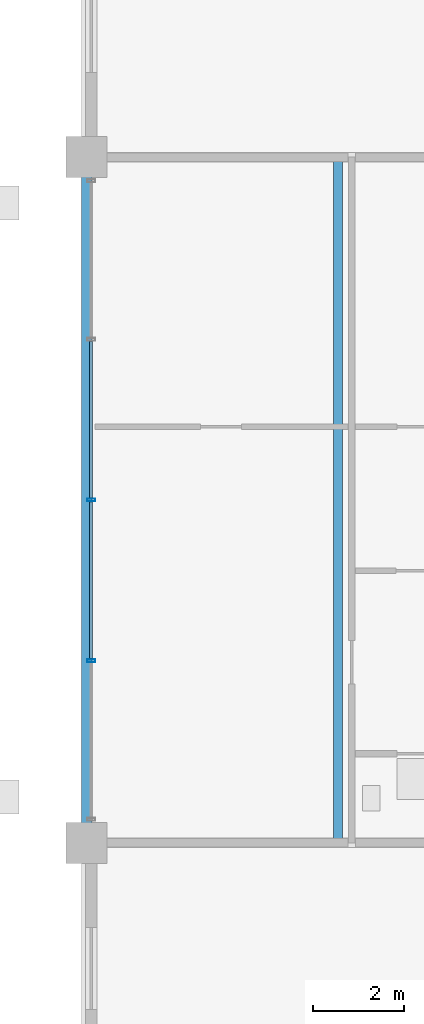
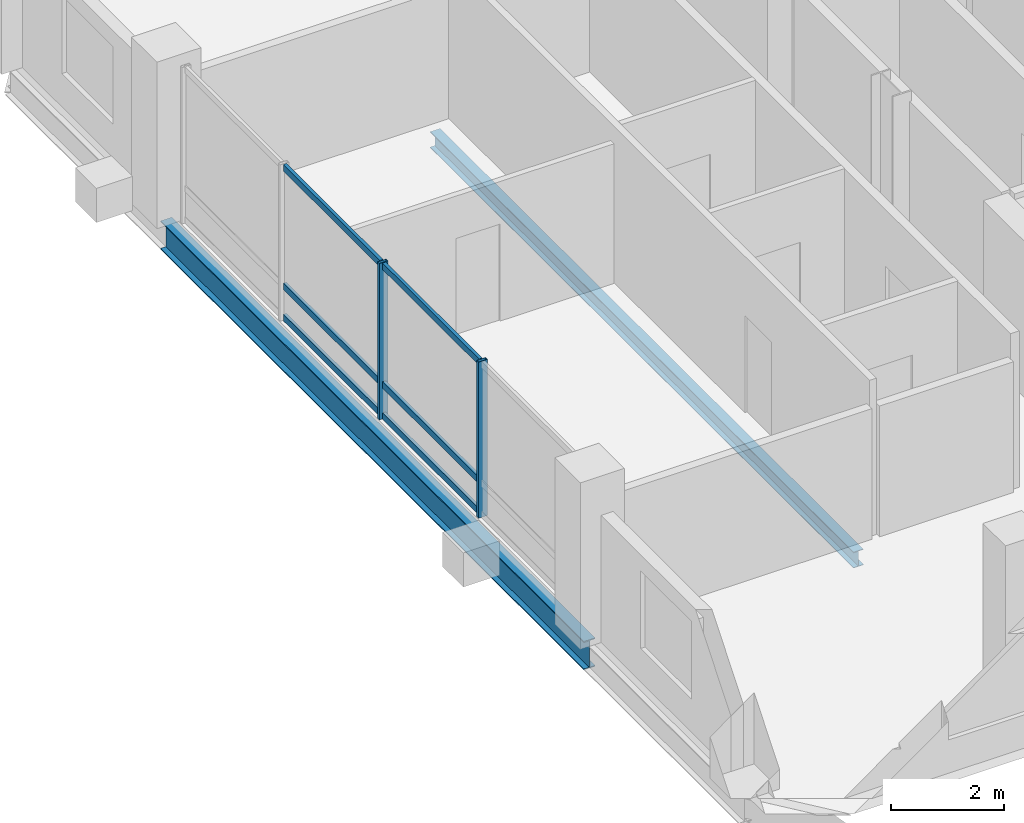
# One storey, part 6 of 21: 8 members, 2 beams, 1 element without a shape of its own.
"""IFC4 building model written with IfcOpenShell, lengths in metres."""

from ifc_helpers import new_model, si_unit, direction, frame, origin, origin_2d, place, context, subcontext, project, spatial, hollow_rectangle, i_section, extrude, material, layer, layer_set, material_profile, profile_set, type_object, element, aggregate, save


model = new_model("IFC4")

# Units and contexts
model_context = context("Model", 3, precision=1e-05, world=origin(), true_north=direction((0.0, 1.0)))
body_context = subcontext(model_context, "Body", "Model", "MODEL_VIEW")
ifc_project = project(units=[si_unit("LENGTHUNIT", "METRE"), si_unit("AREAUNIT", "SQUARE_METRE"), si_unit("VOLUMEUNIT", "CUBIC_METRE"), si_unit("PLANEANGLEUNIT", "RADIAN"), si_unit("MASSUNIT", "GRAM", prefix="KILO")], contexts=[model_context])

# Site, building, storey
site_placement = place(None, origin())
site = spatial("IfcSite", under=ifc_project, at=site_placement, CompositionType="ELEMENT")
building_placement = place(site_placement, origin())
building = spatial("IfcBuilding", under=site, at=building_placement, Name="Barlavira Tower and Art Museum", CompositionType="ELEMENT")
storey_placement = place(building_placement, frame((0.0, 0.0, 297.89990234375)))
storey = spatial("IfcBuildingStorey", under=building, at=storey_placement, Name="L78", CompositionType="ELEMENT", Elevation=297.89990234375)

# Curtain wall, members
ifc_material_1 = material(Name="Low-iron coastal laminated glass", Category="glass")
ifc_layer = layer(ifc_material_1, 0.2099609375, Name="Low-iron coastal laminated glass")
ifc_layer_set = layer_set([ifc_layer], Name="Low-iron coastal laminated glass")
curtain_wall_type = type_object("IfcCurtainWallType", Name="Pale-Metal Unitised Curtain Wall Zone 4", PredefinedType="NOTDEFINED", material=ifc_layer_set)
curtain_wall_placement = place(storey_placement, origin())
curtain_wall = element("IfcCurtainWall", 1, at=curtain_wall_placement, inside=storey, type_object=curtain_wall_type, Name="L78 Curtain Wall CW4-L78-W-B3", PredefinedType="NOTDEFINED")
ifc_material_2 = material(Name="Pale anodised aluminium", Category="aluminium")
ifc_material_profile_1 = material_profile(ifc_material_2, hollow_rectangle(XDim=0.06494140625, YDim=0.179931640625, WallThickness=0.00390625, at=origin_2d()), Name="ALU-MULL 65x180x4")
ifc_profile_set_1 = profile_set([ifc_material_profile_1], Name="Pale anodised aluminium")
member_type_1 = type_object("IfcMemberType", Name="Curtain Wall Pale-Metal Mullion 65x180", PredefinedType="MULLION", material=ifc_profile_set_1)
member_1_placement = place(storey_placement, frame((-16.89990234375, 0.0, 0.0), z_axis=(0.0, 0.0, 1.0), x_axis=(0.0, -1.0, 0.0)))
member_1 = element("IfcMember", 2, at=member_1_placement, type_object=member_type_1, Name="CW4-L78-W-B3 Mullion 2", PredefinedType="MULLION", context=body_context, shape_type="SweptSolid", body=[
    extrude(hollow_rectangle(XDim=0.06494140625, YDim=0.179931640625, WallThickness=0.00390625, at=origin_2d()), origin(), (0.0, 0.0, 1.0), 3.380126953125),
])
member_2_placement = place(storey_placement, frame((-16.89990234375, -3.514892578125, 0.0), z_axis=(0.0, 0.0, 1.0), x_axis=(0.0, -1.0, 0.0)))
member_2 = element("IfcMember", 3, at=member_2_placement, type_object=member_type_1, Name="CW4-L78-W-B3 Mullion 3", PredefinedType="MULLION", context=body_context, shape_type="SweptSolid", body=[
    extrude(hollow_rectangle(XDim=0.06494140625, YDim=0.179931640625, WallThickness=0.00390625, at=origin_2d()), origin(), (0.0, 0.0, 1.0), 3.380126953125),
])
ifc_material_profile_2 = material_profile(ifc_material_2, hollow_rectangle(XDim=0.06494140625, YDim=0.139892578125, WallThickness=0.00390625, at=origin_2d()), Name="ALU-TRAN 65x140x4")
ifc_profile_set_2 = profile_set([ifc_material_profile_2], Name="Pale anodised aluminium")
member_type_2 = type_object("IfcMemberType", Name="Curtain Wall Pale-Metal Transom 65x140", PredefinedType="USERDEFINED", material=ifc_profile_set_2)
member_3_placement = place(storey_placement, frame((-16.89990234375, 3.469970703125, 0.070068359375), z_axis=(0.0, -1.0, 0.0), x_axis=(1.0, 0.0, 0.0)))
member_3 = element("IfcMember", 4, at=member_3_placement, type_object=member_type_2, Name="CW4-L78-W-B3 Transom 1.1", ObjectType="TRANSOM", PredefinedType="USERDEFINED", context=body_context, shape_type="SweptSolid", body=[
    extrude(hollow_rectangle(XDim=0.06494140625, YDim=0.139892578125, WallThickness=0.00390625, at=origin_2d()), origin(), (0.0, 0.0, 1.0), 3.425048828125),
])
member_4_placement = place(storey_placement, frame((-16.89990234375, 3.469970703125, 0.744140625), z_axis=(0.0, -1.0, 0.0), x_axis=(1.0, 0.0, 0.0)))
member_4 = element("IfcMember", 5, at=member_4_placement, type_object=member_type_2, Name="CW4-L78-W-B3 Transom 1.2", ObjectType="TRANSOM", PredefinedType="USERDEFINED", context=body_context, shape_type="SweptSolid", body=[
    extrude(hollow_rectangle(XDim=0.06494140625, YDim=0.139892578125, WallThickness=0.00390625, at=origin_2d()), origin(), (0.0, 0.0, 1.0), 3.425048828125),
])
member_5_placement = place(storey_placement, frame((-16.89990234375, 3.469970703125, 3.31005859375), z_axis=(0.0, -1.0, 0.0), x_axis=(1.0, 0.0, 0.0)))
member_5 = element("IfcMember", 6, at=member_5_placement, type_object=member_type_2, Name="CW4-L78-W-B3 Transom 1.3", ObjectType="TRANSOM", PredefinedType="USERDEFINED", context=body_context, shape_type="SweptSolid", body=[
    extrude(hollow_rectangle(XDim=0.06494140625, YDim=0.139892578125, WallThickness=0.00390625, at=origin_2d()), origin(), (0.0, 0.0, 1.0), 3.425048828125),
])
member_6_placement = place(storey_placement, frame((-16.89990234375, -0.044921875, 0.070068359375), z_axis=(0.0, -1.0, 0.0), x_axis=(1.0, 0.0, 0.0)))
member_6 = element("IfcMember", 7, at=member_6_placement, type_object=member_type_2, Name="CW4-L78-W-B3 Transom 2.1", ObjectType="TRANSOM", PredefinedType="USERDEFINED", context=body_context, shape_type="SweptSolid", body=[
    extrude(hollow_rectangle(XDim=0.06494140625, YDim=0.139892578125, WallThickness=0.00390625, at=origin_2d()), origin(), (0.0, 0.0, 1.0), 3.425048828125),
])
member_7_placement = place(storey_placement, frame((-16.89990234375, -0.044921875, 0.744140625), z_axis=(0.0, -1.0, 0.0), x_axis=(1.0, 0.0, 0.0)))
member_7 = element("IfcMember", 8, at=member_7_placement, type_object=member_type_2, Name="CW4-L78-W-B3 Transom 2.2", ObjectType="TRANSOM", PredefinedType="USERDEFINED", context=body_context, shape_type="SweptSolid", body=[
    extrude(hollow_rectangle(XDim=0.06494140625, YDim=0.139892578125, WallThickness=0.00390625, at=origin_2d()), origin(), (0.0, 0.0, 1.0), 3.425048828125),
])
member_8_placement = place(storey_placement, frame((-16.89990234375, -0.044921875, 3.31005859375), z_axis=(0.0, -1.0, 0.0), x_axis=(1.0, 0.0, 0.0)))
member_8 = element("IfcMember", 9, at=member_8_placement, type_object=member_type_2, Name="CW4-L78-W-B3 Transom 2.3", ObjectType="TRANSOM", PredefinedType="USERDEFINED", context=body_context, shape_type="SweptSolid", body=[
    extrude(hollow_rectangle(XDim=0.06494140625, YDim=0.139892578125, WallThickness=0.00390625, at=origin_2d()), origin(), (0.0, 0.0, 1.0), 3.425048828125),
])
aggregate(curtain_wall, [member_1, member_2, member_3, member_4, member_5, member_6, member_7, member_8])

# Beams
ifc_material_3 = material(Name="Steel S355", Category="steel")
ifc_material_profile_3 = material_profile(ifc_material_3, i_section(OverallWidth=0.22998046875, OverallDepth=0.616943359375, WebThickness=0.01318359375, FlangeThickness=0.022216796875, at=origin_2d()), Name="W610x140.0")
ifc_profile_set_3 = profile_set([ifc_material_profile_3], Name="Steel S355")
beam_type_1 = type_object("IfcBeamType", Name="Upper Shaft Spandrel Edge Beam W610x140 Steel S355", PredefinedType="SPANDREL", material=ifc_profile_set_3)
beam_1_placement = place(storey_placement, frame((-17.0, -7.5, -0.5283203125), z_axis=(0.0, 1.0, 0.0), x_axis=(-1.0, 0.0, 0.0)))
element("IfcBeam", 10, at=beam_1_placement, inside=storey, type_object=beam_type_1, Name="L78 Spandrel 14", PredefinedType="SPANDREL", context=body_context, shape_type="SweptSolid", body=[
    extrude(i_section(OverallWidth=0.22998046875, OverallDepth=0.616943359375, WebThickness=0.01318359375, FlangeThickness=0.022216796875, at=origin_2d()), origin(), (0.0, 0.0, 1.0), 15.0),
])
ifc_material_profile_4 = material_profile(ifc_material_3, i_section(OverallWidth=0.202880859375, OverallDepth=0.346923828125, WebThickness=0.0078125, FlangeThickness=0.013427734375, at=origin_2d()), Name="W360x64.0")
ifc_profile_set_4 = profile_set([ifc_material_profile_4], Name="Steel S355")
beam_type_2 = type_object("IfcBeamType", Name="Zone 4 Composite Floor Joist W360x64 Steel S355", PredefinedType="JOIST", material=ifc_profile_set_4)
beam_2_placement = place(storey_placement, frame((-11.5, -7.5, -0.393310546875), z_axis=(0.0, 1.0, 0.0), x_axis=(-1.0, 0.0, 0.0)))
element("IfcBeam", 11, at=beam_2_placement, inside=storey, type_object=beam_type_2, Name="L78 Joist W1", PredefinedType="JOIST", context=body_context, shape_type="SweptSolid", body=[
    extrude(i_section(OverallWidth=0.202880859375, OverallDepth=0.346923828125, WebThickness=0.0078125, FlangeThickness=0.013427734375, at=origin_2d()), origin(), (0.0, 0.0, 1.0), 15.0),
])

save(model, "model.ifc")
